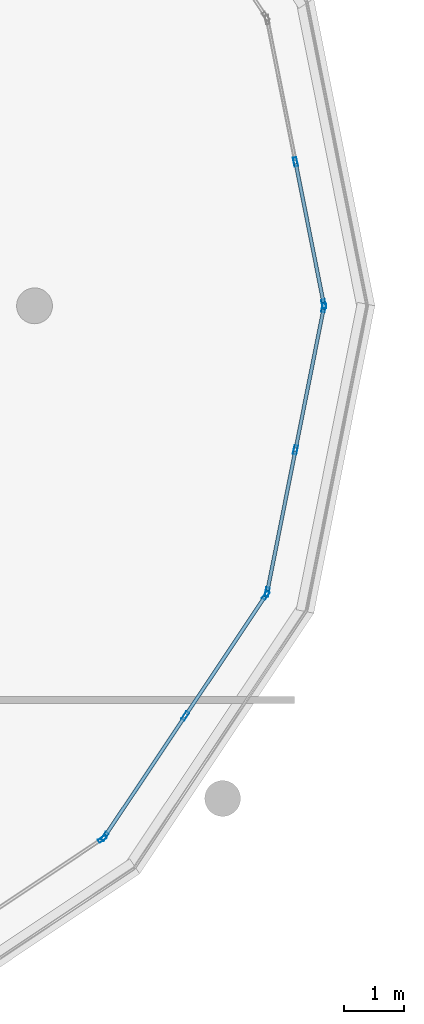
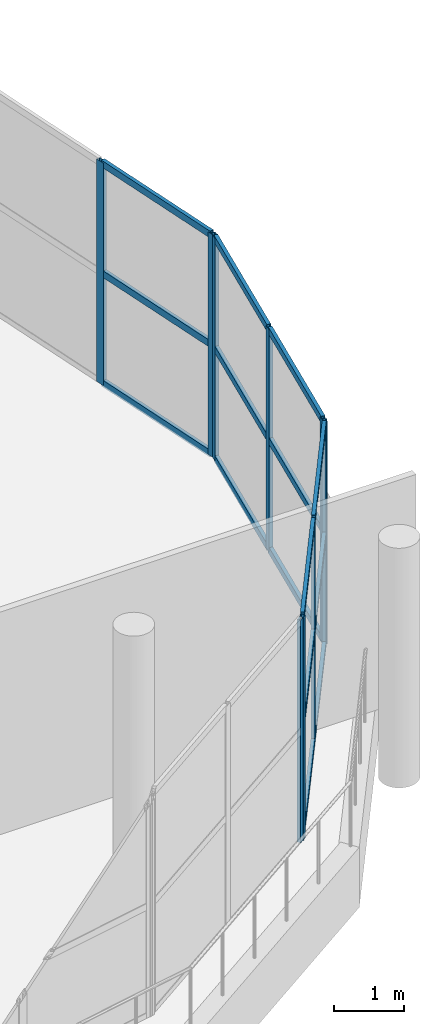
# One storey, part 32 of 63: 24 members, 4 elements without a shape of their own.
"""IFC4 building model written with IfcOpenShell, lengths in metres."""

from ifc_helpers import new_model, si_unit, direction, frame, origin, origin_2d, place, context, subcontext, project, spatial, hollow_rectangle, extrude, material, layer, layer_set, material_profile, profile_set, type_object, element, aggregate, save


model = new_model("IFC4")

# Units and contexts
model_context = context("Model", 3, precision=1e-05, world=origin(), true_north=direction((0.0, 1.0)))
body_context = subcontext(model_context, "Body", "Model", "MODEL_VIEW")
ifc_project = project(units=[si_unit("LENGTHUNIT", "METRE"), si_unit("AREAUNIT", "SQUARE_METRE"), si_unit("VOLUMEUNIT", "CUBIC_METRE"), si_unit("PLANEANGLEUNIT", "RADIAN"), si_unit("MASSUNIT", "GRAM", prefix="KILO")], contexts=[model_context])

# Site, building, storey
site_placement = place(None, origin())
site = spatial("IfcSite", under=ifc_project, at=site_placement, CompositionType="ELEMENT")
building_placement = place(site_placement, origin())
building = spatial("IfcBuilding", under=site, at=building_placement, Name="Zizhar Promenade General Hospital", CompositionType="ELEMENT")
storey_placement = place(building_placement, frame((0.0, 0.0, 18.0)))
storey = spatial("IfcBuildingStorey", under=building, at=storey_placement, Name="L04", CompositionType="ELEMENT", Elevation=18.0)

# Curtain wall, member
ifc_material_1 = material(Name="Anodised aluminium 6063-T6 and low-E glass", Category="aluminium")
ifc_layer = layer(ifc_material_1, 0.159912109375)
ifc_layer_set = layer_set([ifc_layer], Name="Anodised aluminium 6063-T6 and low-E glass")
curtain_wall_type = type_object("IfcCurtainWallType", Name="CW-WARD-ARC", PredefinedType="NOTDEFINED", material=ifc_layer_set)
curtain_wall_1_placement = place(storey_placement, origin())
curtain_wall_1 = element("IfcCurtainWall", 1, at=curtain_wall_1_placement, inside=storey, type_object=curtain_wall_type, Name="Ward Semicircular End Glazing L04-02", PredefinedType="NOTDEFINED")
ifc_material_2 = material(Name="Anodised aluminium 6063-T6", Category="aluminium")
ifc_material_profile_1 = material_profile(ifc_material_2, hollow_rectangle(XDim=0.06005859375, YDim=0.14990234375, WallThickness=0.00390625, at=origin_2d()))
ifc_profile_set_1 = profile_set([ifc_material_profile_1], Name="Anodised aluminium 6063-T6")
member_type_1 = type_object("IfcMemberType", Name="CWM-ALU-150x60", PredefinedType="MULLION", material=ifc_profile_set_1)
member_1_placement = place(storey_placement, frame((127.884521484375, 3.673828125, 0.0), z_axis=(0.0, 0.0, 1.0), x_axis=(0.555582352095, -0.831461514468, 0.0)))
member_1 = element("IfcMember", 2, at=member_1_placement, type_object=member_type_1, Name="CW-12 mullion 1", PredefinedType="MULLION", context=body_context, shape_type="SweptSolid", body=[
    extrude(hollow_rectangle(XDim=0.06005859375, YDim=0.14990234375, WallThickness=0.00390625, at=origin_2d()), origin(), (0.0, 0.0, 1.0), 3.89990234375),
])
aggregate(curtain_wall_1, [member_1])

# Curtain wall, members
curtain_wall_2_placement = place(storey_placement, origin())
curtain_wall_2 = element("IfcCurtainWall", 3, at=curtain_wall_2_placement, inside=storey, type_object=curtain_wall_type, Name="Ward Semicircular End Glazing L04-03", PredefinedType="NOTDEFINED")
member_2_placement = place(storey_placement, frame((130.624267578125, 7.753173828125, 0.0), z_axis=(0.0, 0.0, 1.0), x_axis=(0.831461514468, -0.555582352095, 0.0)))
member_2 = element("IfcMember", 4, at=member_2_placement, type_object=member_type_1, Name="CW-12 mullion 1", PredefinedType="MULLION", context=body_context, shape_type="SweptSolid", body=[
    extrude(hollow_rectangle(XDim=0.06005859375, YDim=0.14990234375, WallThickness=0.00390625, at=origin_2d()), origin(), (0.0, 0.0, 1.0), 3.89990234375),
])
member_3_placement = place(storey_placement, frame((129.275146484375, 5.734375, 0.0), z_axis=(0.0, 0.0, 1.0), x_axis=(0.831461514468, -0.555582352095, 0.0)))
member_3 = element("IfcMember", 5, at=member_3_placement, type_object=member_type_1, Name="CW-12 mullion 2", PredefinedType="MULLION", context=body_context, shape_type="SweptSolid", body=[
    extrude(hollow_rectangle(XDim=0.06005859375, YDim=0.14990234375, WallThickness=0.00390625, at=origin_2d()), origin(), (0.0, 0.0, 1.0), 3.89990234375),
])
member_4_placement = place(storey_placement, frame((127.92626953125, 3.71533203125, 0.0), z_axis=(0.0, 0.0, 1.0), x_axis=(0.831461514468, -0.555582352095, 0.0)))
member_4 = element("IfcMember", 6, at=member_4_placement, type_object=member_type_1, Name="CW-12 mullion 3", PredefinedType="MULLION", context=body_context, shape_type="SweptSolid", body=[
    extrude(hollow_rectangle(XDim=0.06005859375, YDim=0.14990234375, WallThickness=0.00390625, at=origin_2d()), origin(), (0.0, 0.0, 1.0), 3.89990234375),
])

curtain_wall_3_placement = place(storey_placement, origin())
curtain_wall_3 = element("IfcCurtainWall", 7, at=curtain_wall_3_placement, inside=storey, type_object=curtain_wall_type, Name="Ward Semicircular End Glazing L04-04", PredefinedType="NOTDEFINED")
member_5_placement = place(storey_placement, frame((131.59423828125, 12.570556640625, 0.0), z_axis=(0.0, 0.0, 1.0), x_axis=(0.980785889615, -0.195087259275, 0.0)))
member_5 = element("IfcMember", 8, at=member_5_placement, type_object=member_type_1, Name="CW-12 mullion 1", PredefinedType="MULLION", context=body_context, shape_type="SweptSolid", body=[
    extrude(hollow_rectangle(XDim=0.06005859375, YDim=0.14990234375, WallThickness=0.00390625, at=origin_2d()), origin(), (0.0, 0.0, 1.0), 3.89990234375),
])
member_6_placement = place(storey_placement, frame((131.120361328125, 10.189208984375, 0.0), z_axis=(0.0, 0.0, 1.0), x_axis=(0.980785889615, -0.195087259275, 0.0)))
member_6 = element("IfcMember", 9, at=member_6_placement, type_object=member_type_1, Name="CW-12 mullion 2", PredefinedType="MULLION", context=body_context, shape_type="SweptSolid", body=[
    extrude(hollow_rectangle(XDim=0.06005859375, YDim=0.14990234375, WallThickness=0.00390625, at=origin_2d()), origin(), (0.0, 0.0, 1.0), 3.89990234375),
])
member_7_placement = place(storey_placement, frame((130.646728515625, 7.8076171875, 0.0), z_axis=(0.0, 0.0, 1.0), x_axis=(0.980785889615, -0.195087259275, 0.0)))
member_7 = element("IfcMember", 10, at=member_7_placement, type_object=member_type_1, Name="CW-12 mullion 3", PredefinedType="MULLION", context=body_context, shape_type="SweptSolid", body=[
    extrude(hollow_rectangle(XDim=0.06005859375, YDim=0.14990234375, WallThickness=0.00390625, at=origin_2d()), origin(), (0.0, 0.0, 1.0), 3.89990234375),
])

curtain_wall_4_placement = place(storey_placement, origin())
curtain_wall_4 = element("IfcCurtainWall", 11, at=curtain_wall_4_placement, inside=storey, type_object=curtain_wall_type, Name="Ward Semicircular End Glazing L04-05", PredefinedType="NOTDEFINED")
member_8_placement = place(storey_placement, frame((131.120361328125, 15.010986328125, 0.0), z_axis=(0.0, 0.0, 1.0), x_axis=(0.980785889615, 0.195087259275, 0.0)))
member_8 = element("IfcMember", 12, at=member_8_placement, type_object=member_type_1, Name="CW-12 mullion 2", PredefinedType="MULLION", context=body_context, shape_type="SweptSolid", body=[
    extrude(hollow_rectangle(XDim=0.06005859375, YDim=0.14990234375, WallThickness=0.00390625, at=origin_2d()), origin(), (0.0, 0.0, 1.0), 3.89990234375),
])
member_9_placement = place(storey_placement, frame((131.59423828125, 12.62939453125, 0.0), z_axis=(0.0, 0.0, 1.0), x_axis=(0.980785889615, 0.195087259275, 0.0)))
member_9 = element("IfcMember", 13, at=member_9_placement, type_object=member_type_1, Name="CW-12 mullion 3", PredefinedType="MULLION", context=body_context, shape_type="SweptSolid", body=[
    extrude(hollow_rectangle(XDim=0.06005859375, YDim=0.14990234375, WallThickness=0.00390625, at=origin_2d()), origin(), (0.0, 0.0, 1.0), 3.89990234375),
])

# Member
ifc_material_3 = material(Name="Anodised aluminium 6063-T6", Category="aluminium")
ifc_material_profile_2 = material_profile(ifc_material_3, hollow_rectangle(XDim=0.06005859375, YDim=0.1201171875, WallThickness=0.00390625, at=origin_2d()))
ifc_profile_set_2 = profile_set([ifc_material_profile_2], Name="Anodised aluminium 6063-T6")
member_type_2 = type_object("IfcMemberType", Name="CWT-ALU-120x60", PredefinedType="USERDEFINED", material=ifc_profile_set_2)
member_10_placement = place(storey_placement, frame((130.607666015625, 7.728271484375, 0.030029296875), z_axis=(-0.555651427164, -0.831415354375, 0.0), x_axis=(0.831415354375, -0.555651427164, 0.0)))
member_10 = element("IfcMember", 14, at=member_10_placement, type_object=member_type_2, Name="CW-12 transom 1.1", ObjectType="TRANSOM", PredefinedType="USERDEFINED", context=body_context, shape_type="SweptSolid", body=[
    extrude(hollow_rectangle(XDim=0.06005859375, YDim=0.1201171875, WallThickness=0.00390625, at=origin_2d()), origin(), (0.0, 0.0, 1.0), 2.3681640625),
])

member_11_placement = place(storey_placement, frame((130.607666015625, 7.728271484375, 1.949951171875), z_axis=(-0.555651427164, -0.831415354375, 0.0), x_axis=(0.831415354375, -0.555651427164, 0.0)))
member_11 = element("IfcMember", 15, at=member_11_placement, type_object=member_type_2, Name="CW-12 transom 1.2", ObjectType="TRANSOM", PredefinedType="USERDEFINED", context=body_context, shape_type="SweptSolid", body=[
    extrude(hollow_rectangle(XDim=0.06005859375, YDim=0.1201171875, WallThickness=0.00390625, at=origin_2d()), origin(), (0.0, 0.0, 1.0), 2.3681640625),
])

member_12_placement = place(storey_placement, frame((130.607666015625, 7.728271484375, 3.8701171875), z_axis=(-0.555651427164, -0.831415354375, 0.0), x_axis=(0.831415354375, -0.555651427164, 0.0)))
member_12 = element("IfcMember", 16, at=member_12_placement, type_object=member_type_2, Name="CW-12 transom 1.3", ObjectType="TRANSOM", PredefinedType="USERDEFINED", context=body_context, shape_type="SweptSolid", body=[
    extrude(hollow_rectangle(XDim=0.06005859375, YDim=0.1201171875, WallThickness=0.00390625, at=origin_2d()), origin(), (0.0, 0.0, 1.0), 2.3681640625),
])

member_13_placement = place(storey_placement, frame((129.258544921875, 5.70947265625, 0.030029296875), z_axis=(-0.555580160396, -0.831462978956, 0.0), x_axis=(0.831462978956, -0.555580160396, 0.0)))
member_13 = element("IfcMember", 17, at=member_13_placement, type_object=member_type_2, Name="CW-12 transom 2.1", ObjectType="TRANSOM", PredefinedType="USERDEFINED", context=body_context, shape_type="SweptSolid", body=[
    extrude(hollow_rectangle(XDim=0.06005859375, YDim=0.1201171875, WallThickness=0.00390625, at=origin_2d()), origin(), (0.0, 0.0, 1.0), 2.3681640625),
])

member_14_placement = place(storey_placement, frame((129.258544921875, 5.70947265625, 1.949951171875), z_axis=(-0.555580160396, -0.831462978956, 0.0), x_axis=(0.831462978956, -0.555580160396, 0.0)))
member_14 = element("IfcMember", 18, at=member_14_placement, type_object=member_type_2, Name="CW-12 transom 2.2", ObjectType="TRANSOM", PredefinedType="USERDEFINED", context=body_context, shape_type="SweptSolid", body=[
    extrude(hollow_rectangle(XDim=0.06005859375, YDim=0.1201171875, WallThickness=0.00390625, at=origin_2d()), origin(), (0.0, 0.0, 1.0), 2.3681640625),
])

member_15_placement = place(storey_placement, frame((129.258544921875, 5.70947265625, 3.8701171875), z_axis=(-0.555580160396, -0.831462978956, 0.0), x_axis=(0.831462978956, -0.555580160396, 0.0)))
member_15 = element("IfcMember", 19, at=member_15_placement, type_object=member_type_2, Name="CW-12 transom 2.3", ObjectType="TRANSOM", PredefinedType="USERDEFINED", context=body_context, shape_type="SweptSolid", body=[
    extrude(hollow_rectangle(XDim=0.06005859375, YDim=0.1201171875, WallThickness=0.00390625, at=origin_2d()), origin(), (0.0, 0.0, 1.0), 2.3681640625),
])

aggregate(curtain_wall_2, [member_2, member_3, member_4, member_10, member_11, member_12, member_13, member_14, member_15])

member_16_placement = place(storey_placement, frame((131.58837890625, 12.541259765625, 0.030029296875), z_axis=(-0.195144637465, -0.980774474825, 0.0), x_axis=(0.980774474825, -0.195144637465, 0.0)))
member_16 = element("IfcMember", 20, at=member_16_placement, type_object=member_type_2, Name="CW-12 transom 1.1", ObjectType="TRANSOM", PredefinedType="USERDEFINED", context=body_context, shape_type="SweptSolid", body=[
    extrude(hollow_rectangle(XDim=0.06005859375, YDim=0.1201171875, WallThickness=0.00390625, at=origin_2d()), origin(), (0.0, 0.0, 1.0), 2.3681640625),
])

member_17_placement = place(storey_placement, frame((131.58837890625, 12.541259765625, 1.949951171875), z_axis=(-0.195144637465, -0.980774474825, 0.0), x_axis=(0.980774474825, -0.195144637465, 0.0)))
member_17 = element("IfcMember", 21, at=member_17_placement, type_object=member_type_2, Name="CW-12 transom 1.2", ObjectType="TRANSOM", PredefinedType="USERDEFINED", context=body_context, shape_type="SweptSolid", body=[
    extrude(hollow_rectangle(XDim=0.06005859375, YDim=0.1201171875, WallThickness=0.00390625, at=origin_2d()), origin(), (0.0, 0.0, 1.0), 2.3681640625),
])

member_18_placement = place(storey_placement, frame((131.58837890625, 12.541259765625, 3.8701171875), z_axis=(-0.195144637465, -0.980774474825, 0.0), x_axis=(0.980774474825, -0.195144637465, 0.0)))
member_18 = element("IfcMember", 22, at=member_18_placement, type_object=member_type_2, Name="CW-12 transom 1.3", ObjectType="TRANSOM", PredefinedType="USERDEFINED", context=body_context, shape_type="SweptSolid", body=[
    extrude(hollow_rectangle(XDim=0.06005859375, YDim=0.1201171875, WallThickness=0.00390625, at=origin_2d()), origin(), (0.0, 0.0, 1.0), 2.3681640625),
])

member_19_placement = place(storey_placement, frame((131.114501953125, 10.15966796875, 0.030029296875), z_axis=(-0.195065195628, -0.980790278018, 0.0), x_axis=(0.980790278018, -0.195065195628, 0.0)))
member_19 = element("IfcMember", 23, at=member_19_placement, type_object=member_type_2, Name="CW-12 transom 2.1", ObjectType="TRANSOM", PredefinedType="USERDEFINED", context=body_context, shape_type="SweptSolid", body=[
    extrude(hollow_rectangle(XDim=0.06005859375, YDim=0.1201171875, WallThickness=0.00390625, at=origin_2d()), origin(), (0.0, 0.0, 1.0), 2.367919921875),
])

member_20_placement = place(storey_placement, frame((131.114501953125, 10.15966796875, 1.949951171875), z_axis=(-0.195065195628, -0.980790278018, 0.0), x_axis=(0.980790278018, -0.195065195628, 0.0)))
member_20 = element("IfcMember", 24, at=member_20_placement, type_object=member_type_2, Name="CW-12 transom 2.2", ObjectType="TRANSOM", PredefinedType="USERDEFINED", context=body_context, shape_type="SweptSolid", body=[
    extrude(hollow_rectangle(XDim=0.06005859375, YDim=0.1201171875, WallThickness=0.00390625, at=origin_2d()), origin(), (0.0, 0.0, 1.0), 2.367919921875),
])

member_21_placement = place(storey_placement, frame((131.114501953125, 10.15966796875, 3.8701171875), z_axis=(-0.195065195628, -0.980790278018, 0.0), x_axis=(0.980790278018, -0.195065195628, 0.0)))
member_21 = element("IfcMember", 25, at=member_21_placement, type_object=member_type_2, Name="CW-12 transom 2.3", ObjectType="TRANSOM", PredefinedType="USERDEFINED", context=body_context, shape_type="SweptSolid", body=[
    extrude(hollow_rectangle(XDim=0.06005859375, YDim=0.1201171875, WallThickness=0.00390625, at=origin_2d()), origin(), (0.0, 0.0, 1.0), 2.367919921875),
])

aggregate(curtain_wall_3, [member_5, member_6, member_7, member_16, member_17, member_18, member_19, member_20, member_21])

member_22_placement = place(storey_placement, frame((131.126220703125, 14.9814453125, 0.030029296875), z_axis=(0.195164369634, -0.98077054851, 0.0), x_axis=(0.98077054851, 0.195164369634, 0.0)))
member_22 = element("IfcMember", 26, at=member_22_placement, type_object=member_type_2, Name="CW-12 transom 2.1", ObjectType="TRANSOM", PredefinedType="USERDEFINED", context=body_context, shape_type="SweptSolid", body=[
    extrude(hollow_rectangle(XDim=0.06005859375, YDim=0.1201171875, WallThickness=0.00390625, at=origin_2d()), origin(), (0.0, 0.0, 1.0), 2.3681640625),
])

member_23_placement = place(storey_placement, frame((131.126220703125, 14.9814453125, 1.949951171875), z_axis=(0.195164369634, -0.98077054851, 0.0), x_axis=(0.98077054851, 0.195164369634, 0.0)))
member_23 = element("IfcMember", 27, at=member_23_placement, type_object=member_type_2, Name="CW-12 transom 2.2", ObjectType="TRANSOM", PredefinedType="USERDEFINED", context=body_context, shape_type="SweptSolid", body=[
    extrude(hollow_rectangle(XDim=0.06005859375, YDim=0.1201171875, WallThickness=0.00390625, at=origin_2d()), origin(), (0.0, 0.0, 1.0), 2.3681640625),
])

member_24_placement = place(storey_placement, frame((131.126220703125, 14.9814453125, 3.8701171875), z_axis=(0.195164369634, -0.98077054851, 0.0), x_axis=(0.98077054851, 0.195164369634, 0.0)))
member_24 = element("IfcMember", 28, at=member_24_placement, type_object=member_type_2, Name="CW-12 transom 2.3", ObjectType="TRANSOM", PredefinedType="USERDEFINED", context=body_context, shape_type="SweptSolid", body=[
    extrude(hollow_rectangle(XDim=0.06005859375, YDim=0.1201171875, WallThickness=0.00390625, at=origin_2d()), origin(), (0.0, 0.0, 1.0), 2.3681640625),
])

aggregate(curtain_wall_4, [member_8, member_9, member_22, member_23, member_24])

save(model, "model.ifc")
